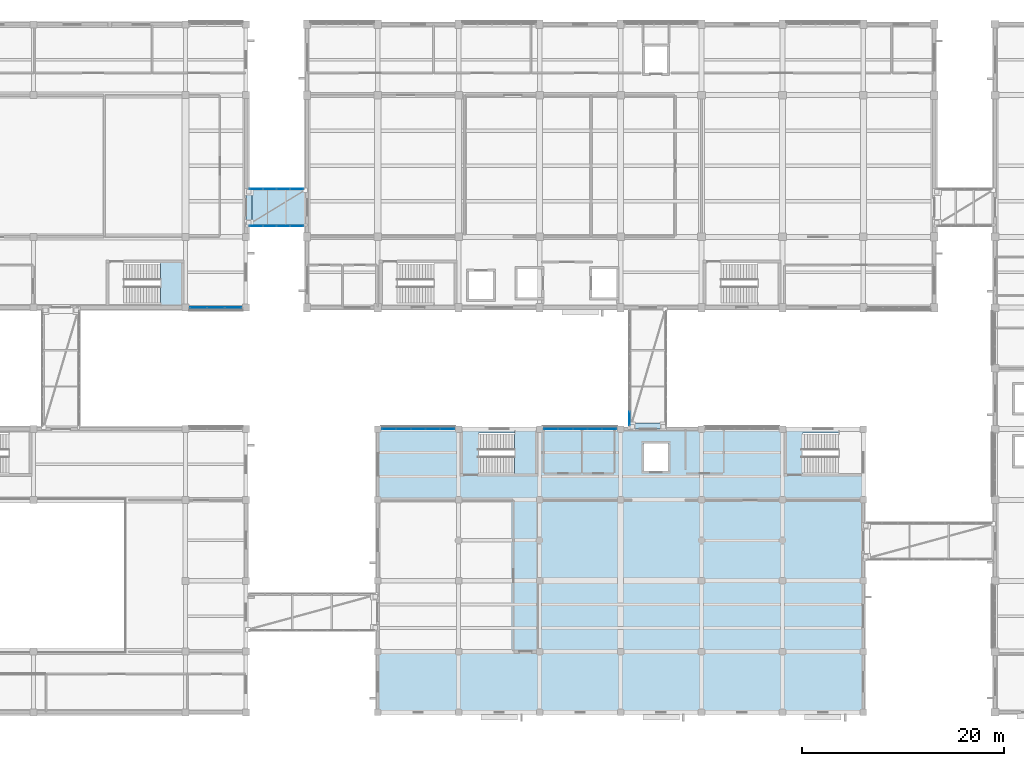
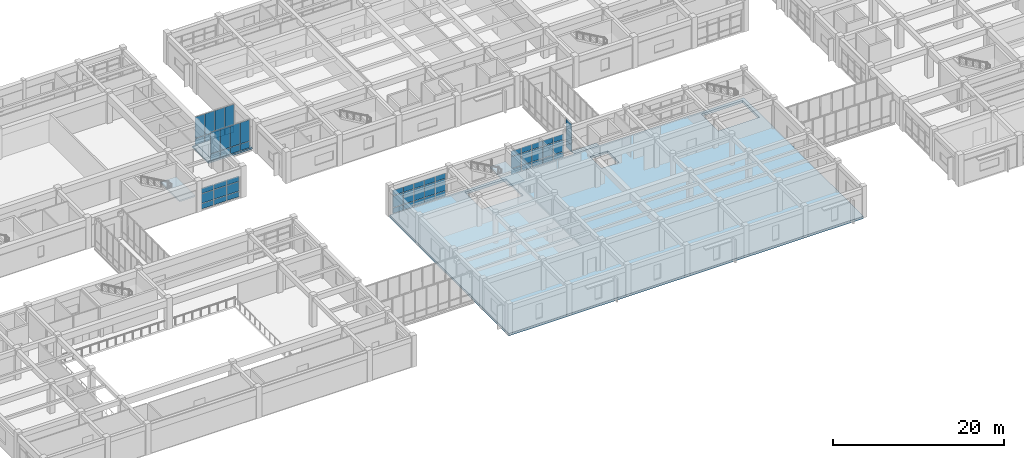
# One storey, part 38 of 70: 59 plates, 4 slabs, 8 elements without a shape of their own.
"""IFC4 building model written with IfcOpenShell, lengths in metres."""

from ifc_helpers import new_model, si_unit, direction, frame, origin, origin_2d, place, context, subcontext, project, spatial, polyline, rectangle, outline, extrude, material, layer, layer_set, type_object, element, aggregate, save


model = new_model("IFC4")

# Units and contexts
model_context = context("Model", 3, precision=1e-05, world=origin(), true_north=direction((0.0, 1.0)))
body_context = subcontext(model_context, "Body", "Model", "MODEL_VIEW")
ifc_project = project(units=[si_unit("LENGTHUNIT", "METRE"), si_unit("AREAUNIT", "SQUARE_METRE"), si_unit("VOLUMEUNIT", "CUBIC_METRE"), si_unit("PLANEANGLEUNIT", "RADIAN"), si_unit("MASSUNIT", "GRAM", prefix="KILO")], contexts=[model_context])

# Site, building, storey
site_placement = place(None, origin())
site = spatial("IfcSite", under=ifc_project, at=site_placement, CompositionType="ELEMENT")
building_placement = place(site_placement, origin())
building = spatial("IfcBuilding", under=site, at=building_placement, Name="Naurynzar Civic Courthouse", CompositionType="ELEMENT")
storey_placement = place(building_placement, frame((0.0, 0.0, 5.39990234375)))
storey = spatial("IfcBuildingStorey", under=building, at=storey_placement, Name="L02", CompositionType="ELEMENT", Elevation=5.39990234375)

# Curtain wall, plates
ifc_material_1 = material(Name="Aluminium 6063-T6", Category="aluminium")
ifc_layer_1 = layer(ifc_material_1, 0.179931640625)
ifc_layer_set_1 = layer_set([ifc_layer_1], Name="CW-UNIT-1500")
curtain_wall_type_1 = type_object("IfcCurtainWallType", Name="CW-UNIT-1500", PredefinedType="NOTDEFINED", material=ifc_layer_set_1)
curtain_wall_1_placement = place(storey_placement, origin())
curtain_wall_1 = element("IfcCurtainWall", 1, at=curtain_wall_1_placement, inside=storey, type_object=curtain_wall_type_1, Name="V3 unitised curtain wall 64 L02", PredefinedType="NOTDEFINED")
ifc_material_2 = material(Name="Tempered Laminated Low-E Glass", Category="glass")
ifc_layer_2 = layer(ifc_material_2, 0.031982421875)
ifc_layer_set_2 = layer_set([ifc_layer_2], Name="CWP-IGU-32")
plate_type_1 = type_object("IfcPlateType", Name="CWP-IGU-32", PredefinedType="CURTAIN_PANEL", material=ifc_layer_set_2)
plate_1_placement = place(storey_placement, frame((70.114990234375, 32.0, 0.06005859375), z_axis=(0.0, 0.0, 1.0), x_axis=(1.0, 0.0, 0.0)))
plate_1 = element("IfcPlate", 2, at=plate_1_placement, type_object=plate_type_1, Name="CW-01 panel 1.1", PredefinedType="CURTAIN_PANEL", context=body_context, shape_type="SweptSolid", body=[
    extrude(rectangle(XDim=1.360107421875, YDim=0.031982421875, at=origin_2d()), origin(), (0.0, 0.0, 1.0), 0.760009765625),
])
plate_2_placement = place(storey_placement, frame((70.114990234375, 32.0, 0.88037109375), z_axis=(0.0, 0.0, 1.0), x_axis=(1.0, 0.0, 0.0)))
plate_2 = element("IfcPlate", 3, at=plate_2_placement, type_object=plate_type_1, Name="CW-01 panel 1.2", PredefinedType="CURTAIN_PANEL", context=body_context, shape_type="SweptSolid", body=[
    extrude(rectangle(XDim=1.360107421875, YDim=0.031982421875, at=origin_2d()), origin(), (0.0, 0.0, 1.0), 1.679931640625),
])
plate_3_placement = place(storey_placement, frame((70.114990234375, 32.0, 2.6201171875), z_axis=(0.0, 0.0, 1.0), x_axis=(1.0, 0.0, 0.0)))
plate_3 = element("IfcPlate", 4, at=plate_3_placement, type_object=plate_type_1, Name="CW-01 panel 1.3", PredefinedType="CURTAIN_PANEL", context=body_context, shape_type="SweptSolid", body=[
    extrude(rectangle(XDim=1.360107421875, YDim=0.031982421875, at=origin_2d()), origin(), (0.0, 0.0, 1.0), 0.760009765625),
])
plate_4_placement = place(storey_placement, frame((71.550048828125, 32.0, 0.06005859375), z_axis=(0.0, 0.0, 1.0), x_axis=(1.0, 0.0, 0.0)))
plate_4 = element("IfcPlate", 5, at=plate_4_placement, type_object=plate_type_1, Name="CW-01 panel 2.1", PredefinedType="CURTAIN_PANEL", context=body_context, shape_type="SweptSolid", body=[
    extrude(rectangle(XDim=1.389892578125, YDim=0.031982421875, at=origin_2d()), origin(), (0.0, 0.0, 1.0), 0.760009765625),
])
plate_5_placement = place(storey_placement, frame((71.550048828125, 32.0, 0.88037109375), z_axis=(0.0, 0.0, 1.0), x_axis=(1.0, 0.0, 0.0)))
plate_5 = element("IfcPlate", 6, at=plate_5_placement, type_object=plate_type_1, Name="CW-01 panel 2.2", PredefinedType="CURTAIN_PANEL", context=body_context, shape_type="SweptSolid", body=[
    extrude(rectangle(XDim=1.389892578125, YDim=0.031982421875, at=origin_2d()), origin(), (0.0, 0.0, 1.0), 1.679931640625),
])
plate_6_placement = place(storey_placement, frame((71.550048828125, 32.0, 2.6201171875), z_axis=(0.0, 0.0, 1.0), x_axis=(1.0, 0.0, 0.0)))
plate_6 = element("IfcPlate", 7, at=plate_6_placement, type_object=plate_type_1, Name="CW-01 panel 2.3", PredefinedType="CURTAIN_PANEL", context=body_context, shape_type="SweptSolid", body=[
    extrude(rectangle(XDim=1.389892578125, YDim=0.031982421875, at=origin_2d()), origin(), (0.0, 0.0, 1.0), 0.760009765625),
])
plate_7_placement = place(storey_placement, frame((73.0, 32.0, 0.06005859375), z_axis=(0.0, 0.0, 1.0), x_axis=(1.0, 0.0, 0.0)))
plate_7 = element("IfcPlate", 8, at=plate_7_placement, type_object=plate_type_1, Name="CW-01 panel 3.1", PredefinedType="CURTAIN_PANEL", context=body_context, shape_type="SweptSolid", body=[
    extrude(rectangle(XDim=1.389892578125, YDim=0.031982421875, at=origin_2d()), origin(), (0.0, 0.0, 1.0), 0.760009765625),
])
plate_8_placement = place(storey_placement, frame((73.0, 32.0, 0.88037109375), z_axis=(0.0, 0.0, 1.0), x_axis=(1.0, 0.0, 0.0)))
plate_8 = element("IfcPlate", 9, at=plate_8_placement, type_object=plate_type_1, Name="CW-01 panel 3.2", PredefinedType="CURTAIN_PANEL", context=body_context, shape_type="SweptSolid", body=[
    extrude(rectangle(XDim=1.389892578125, YDim=0.031982421875, at=origin_2d()), origin(), (0.0, 0.0, 1.0), 1.679931640625),
])
plate_9_placement = place(storey_placement, frame((73.0, 32.0, 2.6201171875), z_axis=(0.0, 0.0, 1.0), x_axis=(1.0, 0.0, 0.0)))
plate_9 = element("IfcPlate", 10, at=plate_9_placement, type_object=plate_type_1, Name="CW-01 panel 3.3", PredefinedType="CURTAIN_PANEL", context=body_context, shape_type="SweptSolid", body=[
    extrude(rectangle(XDim=1.389892578125, YDim=0.031982421875, at=origin_2d()), origin(), (0.0, 0.0, 1.0), 0.760009765625),
])
plate_10_placement = place(storey_placement, frame((74.449951171875, 32.0, 0.06005859375), z_axis=(0.0, 0.0, 1.0), x_axis=(1.0, 0.0, 0.0)))
plate_10 = element("IfcPlate", 11, at=plate_10_placement, type_object=plate_type_1, Name="CW-01 panel 4.1", PredefinedType="CURTAIN_PANEL", context=body_context, shape_type="SweptSolid", body=[
    extrude(rectangle(XDim=1.389892578125, YDim=0.031982421875, at=origin_2d()), origin(), (0.0, 0.0, 1.0), 0.760009765625),
])
plate_11_placement = place(storey_placement, frame((74.449951171875, 32.0, 0.88037109375), z_axis=(0.0, 0.0, 1.0), x_axis=(1.0, 0.0, 0.0)))
plate_11 = element("IfcPlate", 12, at=plate_11_placement, type_object=plate_type_1, Name="CW-01 panel 4.2", PredefinedType="CURTAIN_PANEL", context=body_context, shape_type="SweptSolid", body=[
    extrude(rectangle(XDim=1.389892578125, YDim=0.031982421875, at=origin_2d()), origin(), (0.0, 0.0, 1.0), 1.679931640625),
])
plate_12_placement = place(storey_placement, frame((74.449951171875, 32.0, 2.6201171875), z_axis=(0.0, 0.0, 1.0), x_axis=(1.0, 0.0, 0.0)))
plate_12 = element("IfcPlate", 13, at=plate_12_placement, type_object=plate_type_1, Name="CW-01 panel 4.3", PredefinedType="CURTAIN_PANEL", context=body_context, shape_type="SweptSolid", body=[
    extrude(rectangle(XDim=1.389892578125, YDim=0.031982421875, at=origin_2d()), origin(), (0.0, 0.0, 1.0), 0.760009765625),
])
plate_13_placement = place(storey_placement, frame((75.885009765625, 32.0, 0.06005859375), z_axis=(0.0, 0.0, 1.0), x_axis=(1.0, 0.0, 0.0)))
plate_13 = element("IfcPlate", 14, at=plate_13_placement, type_object=plate_type_1, Name="CW-01 panel 5.1", PredefinedType="CURTAIN_PANEL", context=body_context, shape_type="SweptSolid", body=[
    extrude(rectangle(XDim=1.360107421875, YDim=0.031982421875, at=origin_2d()), origin(), (0.0, 0.0, 1.0), 0.760009765625),
])
plate_14_placement = place(storey_placement, frame((75.885009765625, 32.0, 0.88037109375), z_axis=(0.0, 0.0, 1.0), x_axis=(1.0, 0.0, 0.0)))
plate_14 = element("IfcPlate", 15, at=plate_14_placement, type_object=plate_type_1, Name="CW-01 panel 5.2", PredefinedType="CURTAIN_PANEL", context=body_context, shape_type="SweptSolid", body=[
    extrude(rectangle(XDim=1.360107421875, YDim=0.031982421875, at=origin_2d()), origin(), (0.0, 0.0, 1.0), 1.679931640625),
])
plate_15_placement = place(storey_placement, frame((75.885009765625, 32.0, 2.6201171875), z_axis=(0.0, 0.0, 1.0), x_axis=(1.0, 0.0, 0.0)))
plate_15 = element("IfcPlate", 16, at=plate_15_placement, type_object=plate_type_1, Name="CW-01 panel 5.3", PredefinedType="CURTAIN_PANEL", context=body_context, shape_type="SweptSolid", body=[
    extrude(rectangle(XDim=1.360107421875, YDim=0.031982421875, at=origin_2d()), origin(), (0.0, 0.0, 1.0), 0.760009765625),
])
aggregate(curtain_wall_1, [plate_1, plate_2, plate_3, plate_4, plate_5, plate_6, plate_7, plate_8, plate_9, plate_10, plate_11, plate_12, plate_13, plate_14, plate_15])

curtain_wall_2_placement = place(storey_placement, origin())
curtain_wall_2 = element("IfcCurtainWall", 17, at=curtain_wall_2_placement, inside=storey, type_object=curtain_wall_type_1, Name="V3 unitised curtain wall 65 L02", PredefinedType="NOTDEFINED")
plate_16_placement = place(storey_placement, frame((86.114990234375, 32.0, 0.06005859375), z_axis=(0.0, 0.0, 1.0), x_axis=(1.0, 0.0, 0.0)))
plate_16 = element("IfcPlate", 18, at=plate_16_placement, type_object=plate_type_1, Name="CW-01 panel 1.1", PredefinedType="CURTAIN_PANEL", context=body_context, shape_type="SweptSolid", body=[
    extrude(rectangle(XDim=1.360107421875, YDim=0.031982421875, at=origin_2d()), origin(), (0.0, 0.0, 1.0), 0.760009765625),
])
plate_17_placement = place(storey_placement, frame((86.114990234375, 32.0, 0.88037109375), z_axis=(0.0, 0.0, 1.0), x_axis=(1.0, 0.0, 0.0)))
plate_17 = element("IfcPlate", 19, at=plate_17_placement, type_object=plate_type_1, Name="CW-01 panel 1.2", PredefinedType="CURTAIN_PANEL", context=body_context, shape_type="SweptSolid", body=[
    extrude(rectangle(XDim=1.360107421875, YDim=0.031982421875, at=origin_2d()), origin(), (0.0, 0.0, 1.0), 1.679931640625),
])
plate_18_placement = place(storey_placement, frame((86.114990234375, 32.0, 2.6201171875), z_axis=(0.0, 0.0, 1.0), x_axis=(1.0, 0.0, 0.0)))
plate_18 = element("IfcPlate", 20, at=plate_18_placement, type_object=plate_type_1, Name="CW-01 panel 1.3", PredefinedType="CURTAIN_PANEL", context=body_context, shape_type="SweptSolid", body=[
    extrude(rectangle(XDim=1.360107421875, YDim=0.031982421875, at=origin_2d()), origin(), (0.0, 0.0, 1.0), 0.760009765625),
])
plate_19_placement = place(storey_placement, frame((87.550048828125, 32.0, 0.06005859375), z_axis=(0.0, 0.0, 1.0), x_axis=(1.0, 0.0, 0.0)))
plate_19 = element("IfcPlate", 21, at=plate_19_placement, type_object=plate_type_1, Name="CW-01 panel 2.1", PredefinedType="CURTAIN_PANEL", context=body_context, shape_type="SweptSolid", body=[
    extrude(rectangle(XDim=1.389892578125, YDim=0.031982421875, at=origin_2d()), origin(), (0.0, 0.0, 1.0), 0.760009765625),
])
plate_20_placement = place(storey_placement, frame((87.550048828125, 32.0, 0.88037109375), z_axis=(0.0, 0.0, 1.0), x_axis=(1.0, 0.0, 0.0)))
plate_20 = element("IfcPlate", 22, at=plate_20_placement, type_object=plate_type_1, Name="CW-01 panel 2.2", PredefinedType="CURTAIN_PANEL", context=body_context, shape_type="SweptSolid", body=[
    extrude(rectangle(XDim=1.389892578125, YDim=0.031982421875, at=origin_2d()), origin(), (0.0, 0.0, 1.0), 1.679931640625),
])
plate_21_placement = place(storey_placement, frame((87.550048828125, 32.0, 2.6201171875), z_axis=(0.0, 0.0, 1.0), x_axis=(1.0, 0.0, 0.0)))
plate_21 = element("IfcPlate", 23, at=plate_21_placement, type_object=plate_type_1, Name="CW-01 panel 2.3", PredefinedType="CURTAIN_PANEL", context=body_context, shape_type="SweptSolid", body=[
    extrude(rectangle(XDim=1.389892578125, YDim=0.031982421875, at=origin_2d()), origin(), (0.0, 0.0, 1.0), 0.760009765625),
])
plate_22_placement = place(storey_placement, frame((89.0, 32.0, 0.06005859375), z_axis=(0.0, 0.0, 1.0), x_axis=(1.0, 0.0, 0.0)))
plate_22 = element("IfcPlate", 24, at=plate_22_placement, type_object=plate_type_1, Name="CW-01 panel 3.1", PredefinedType="CURTAIN_PANEL", context=body_context, shape_type="SweptSolid", body=[
    extrude(rectangle(XDim=1.389892578125, YDim=0.031982421875, at=origin_2d()), origin(), (0.0, 0.0, 1.0), 0.760009765625),
])
plate_23_placement = place(storey_placement, frame((89.0, 32.0, 0.88037109375), z_axis=(0.0, 0.0, 1.0), x_axis=(1.0, 0.0, 0.0)))
plate_23 = element("IfcPlate", 25, at=plate_23_placement, type_object=plate_type_1, Name="CW-01 panel 3.2", PredefinedType="CURTAIN_PANEL", context=body_context, shape_type="SweptSolid", body=[
    extrude(rectangle(XDim=1.389892578125, YDim=0.031982421875, at=origin_2d()), origin(), (0.0, 0.0, 1.0), 1.679931640625),
])
plate_24_placement = place(storey_placement, frame((89.0, 32.0, 2.6201171875), z_axis=(0.0, 0.0, 1.0), x_axis=(1.0, 0.0, 0.0)))
plate_24 = element("IfcPlate", 26, at=plate_24_placement, type_object=plate_type_1, Name="CW-01 panel 3.3", PredefinedType="CURTAIN_PANEL", context=body_context, shape_type="SweptSolid", body=[
    extrude(rectangle(XDim=1.389892578125, YDim=0.031982421875, at=origin_2d()), origin(), (0.0, 0.0, 1.0), 0.760009765625),
])
plate_25_placement = place(storey_placement, frame((90.449951171875, 32.0, 0.06005859375), z_axis=(0.0, 0.0, 1.0), x_axis=(1.0, 0.0, 0.0)))
plate_25 = element("IfcPlate", 27, at=plate_25_placement, type_object=plate_type_1, Name="CW-01 panel 4.1", PredefinedType="CURTAIN_PANEL", context=body_context, shape_type="SweptSolid", body=[
    extrude(rectangle(XDim=1.389892578125, YDim=0.031982421875, at=origin_2d()), origin(), (0.0, 0.0, 1.0), 0.760009765625),
])
plate_26_placement = place(storey_placement, frame((90.449951171875, 32.0, 0.88037109375), z_axis=(0.0, 0.0, 1.0), x_axis=(1.0, 0.0, 0.0)))
plate_26 = element("IfcPlate", 28, at=plate_26_placement, type_object=plate_type_1, Name="CW-01 panel 4.2", PredefinedType="CURTAIN_PANEL", context=body_context, shape_type="SweptSolid", body=[
    extrude(rectangle(XDim=1.389892578125, YDim=0.031982421875, at=origin_2d()), origin(), (0.0, 0.0, 1.0), 1.679931640625),
])
plate_27_placement = place(storey_placement, frame((90.449951171875, 32.0, 2.6201171875), z_axis=(0.0, 0.0, 1.0), x_axis=(1.0, 0.0, 0.0)))
plate_27 = element("IfcPlate", 29, at=plate_27_placement, type_object=plate_type_1, Name="CW-01 panel 4.3", PredefinedType="CURTAIN_PANEL", context=body_context, shape_type="SweptSolid", body=[
    extrude(rectangle(XDim=1.389892578125, YDim=0.031982421875, at=origin_2d()), origin(), (0.0, 0.0, 1.0), 0.760009765625),
])
plate_28_placement = place(storey_placement, frame((91.885009765625, 32.0, 0.06005859375), z_axis=(0.0, 0.0, 1.0), x_axis=(1.0, 0.0, 0.0)))
plate_28 = element("IfcPlate", 30, at=plate_28_placement, type_object=plate_type_1, Name="CW-01 panel 5.1", PredefinedType="CURTAIN_PANEL", context=body_context, shape_type="SweptSolid", body=[
    extrude(rectangle(XDim=1.360107421875, YDim=0.031982421875, at=origin_2d()), origin(), (0.0, 0.0, 1.0), 0.760009765625),
])
plate_29_placement = place(storey_placement, frame((91.885009765625, 32.0, 0.88037109375), z_axis=(0.0, 0.0, 1.0), x_axis=(1.0, 0.0, 0.0)))
plate_29 = element("IfcPlate", 31, at=plate_29_placement, type_object=plate_type_1, Name="CW-01 panel 5.2", PredefinedType="CURTAIN_PANEL", context=body_context, shape_type="SweptSolid", body=[
    extrude(rectangle(XDim=1.360107421875, YDim=0.031982421875, at=origin_2d()), origin(), (0.0, 0.0, 1.0), 1.679931640625),
])
plate_30_placement = place(storey_placement, frame((91.885009765625, 32.0, 2.6201171875), z_axis=(0.0, 0.0, 1.0), x_axis=(1.0, 0.0, 0.0)))
plate_30 = element("IfcPlate", 32, at=plate_30_placement, type_object=plate_type_1, Name="CW-01 panel 5.3", PredefinedType="CURTAIN_PANEL", context=body_context, shape_type="SweptSolid", body=[
    extrude(rectangle(XDim=1.360107421875, YDim=0.031982421875, at=origin_2d()), origin(), (0.0, 0.0, 1.0), 0.760009765625),
])
aggregate(curtain_wall_2, [plate_16, plate_17, plate_18, plate_19, plate_20, plate_21, plate_22, plate_23, plate_24, plate_25, plate_26, plate_27, plate_28, plate_29, plate_30])

ifc_material_3 = material(Name="Aluminium 6063-T6", Category="aluminium")
ifc_layer_3 = layer(ifc_material_3, 0.14990234375)
ifc_layer_set_3 = layer_set([ifc_layer_3], Name="CW-BRIDGE-1500")
curtain_wall_type_2 = type_object("IfcCurtainWallType", Name="CW-BRIDGE-1500", PredefinedType="USERDEFINED", material=ifc_layer_set_3)
curtain_wall_3_placement = place(storey_placement, origin())
curtain_wall_3 = element("IfcCurtainWall", 33, at=curtain_wall_3_placement, inside=storey, type_object=curtain_wall_type_2, Name="BR-N1 glazed bridge screen L02.1", ObjectType="GLAZED BRIDGE SCREEN", PredefinedType="USERDEFINED")
plate_31_placement = place(storey_placement, frame((56.989990234375, 52.080078125, 0.06005859375), z_axis=(0.0, 0.0, 1.0), x_axis=(1.0, 0.0, 0.0)))
plate_31 = element("IfcPlate", 34, at=plate_31_placement, type_object=plate_type_1, Name="CW-03 panel 1.1", PredefinedType="CURTAIN_PANEL", context=body_context, shape_type="SweptSolid", body=[
    extrude(rectangle(XDim=1.260009765625, YDim=0.031982421875, at=origin_2d()), origin(), (0.0, 0.0, 1.0), 0.909912109375),
])
plate_32_placement = place(storey_placement, frame((56.989990234375, 52.080078125, 1.0302734375), z_axis=(0.0, 0.0, 1.0), x_axis=(1.0, 0.0, 0.0)))
plate_32 = element("IfcPlate", 35, at=plate_32_placement, type_object=plate_type_1, Name="CW-03 panel 1.2", PredefinedType="CURTAIN_PANEL", context=body_context, shape_type="SweptSolid", body=[
    extrude(rectangle(XDim=1.260009765625, YDim=0.031982421875, at=origin_2d()), origin(), (0.0, 0.0, 1.0), 3.030029296875),
])
plate_33_placement = place(storey_placement, frame((58.324951171875, 52.080078125, 0.06005859375), z_axis=(0.0, 0.0, 1.0), x_axis=(1.0, 0.0, 0.0)))
plate_33 = element("IfcPlate", 36, at=plate_33_placement, type_object=plate_type_1, Name="CW-03 panel 2.1", PredefinedType="CURTAIN_PANEL", context=body_context, shape_type="SweptSolid", body=[
    extrude(rectangle(XDim=1.2900390625, YDim=0.031982421875, at=origin_2d()), origin(), (0.0, 0.0, 1.0), 0.909912109375),
])
plate_34_placement = place(storey_placement, frame((58.324951171875, 52.080078125, 1.0302734375), z_axis=(0.0, 0.0, 1.0), x_axis=(1.0, 0.0, 0.0)))
plate_34 = element("IfcPlate", 37, at=plate_34_placement, type_object=plate_type_1, Name="CW-03 panel 2.2", PredefinedType="CURTAIN_PANEL", context=body_context, shape_type="SweptSolid", body=[
    extrude(rectangle(XDim=1.2900390625, YDim=0.031982421875, at=origin_2d()), origin(), (0.0, 0.0, 1.0), 3.030029296875),
])
plate_35_placement = place(storey_placement, frame((59.675048828125, 52.080078125, 0.06005859375), z_axis=(0.0, 0.0, 1.0), x_axis=(1.0, 0.0, 0.0)))
plate_35 = element("IfcPlate", 38, at=plate_35_placement, type_object=plate_type_1, Name="CW-03 panel 3.1", PredefinedType="CURTAIN_PANEL", context=body_context, shape_type="SweptSolid", body=[
    extrude(rectangle(XDim=1.2900390625, YDim=0.031982421875, at=origin_2d()), origin(), (0.0, 0.0, 1.0), 0.909912109375),
])
plate_36_placement = place(storey_placement, frame((59.675048828125, 52.080078125, 1.0302734375), z_axis=(0.0, 0.0, 1.0), x_axis=(1.0, 0.0, 0.0)))
plate_36 = element("IfcPlate", 39, at=plate_36_placement, type_object=plate_type_1, Name="CW-03 panel 3.2", PredefinedType="CURTAIN_PANEL", context=body_context, shape_type="SweptSolid", body=[
    extrude(rectangle(XDim=1.2900390625, YDim=0.031982421875, at=origin_2d()), origin(), (0.0, 0.0, 1.0), 3.030029296875),
])
plate_37_placement = place(storey_placement, frame((61.010009765625, 52.080078125, 0.06005859375), z_axis=(0.0, 0.0, 1.0), x_axis=(1.0, 0.0, 0.0)))
plate_37 = element("IfcPlate", 40, at=plate_37_placement, type_object=plate_type_1, Name="CW-03 panel 4.1", PredefinedType="CURTAIN_PANEL", context=body_context, shape_type="SweptSolid", body=[
    extrude(rectangle(XDim=1.260009765625, YDim=0.031982421875, at=origin_2d()), origin(), (0.0, 0.0, 1.0), 0.909912109375),
])
plate_38_placement = place(storey_placement, frame((61.010009765625, 52.080078125, 1.0302734375), z_axis=(0.0, 0.0, 1.0), x_axis=(1.0, 0.0, 0.0)))
plate_38 = element("IfcPlate", 41, at=plate_38_placement, type_object=plate_type_1, Name="CW-03 panel 4.2", PredefinedType="CURTAIN_PANEL", context=body_context, shape_type="SweptSolid", body=[
    extrude(rectangle(XDim=1.260009765625, YDim=0.031982421875, at=origin_2d()), origin(), (0.0, 0.0, 1.0), 3.030029296875),
])
aggregate(curtain_wall_3, [plate_31, plate_32, plate_33, plate_34, plate_35, plate_36, plate_37, plate_38])

curtain_wall_4_placement = place(storey_placement, origin())
curtain_wall_4 = element("IfcCurtainWall", 42, at=curtain_wall_4_placement, inside=storey, type_object=curtain_wall_type_2, Name="BR-N1 glazed bridge screen L02.2", ObjectType="GLAZED BRIDGE SCREEN", PredefinedType="USERDEFINED")
plate_39_placement = place(storey_placement, frame((61.010009765625, 55.719970703125, 0.06005859375), z_axis=(0.0, 0.0, 1.0), x_axis=(-1.0, 0.0, 0.0)))
plate_39 = element("IfcPlate", 43, at=plate_39_placement, type_object=plate_type_1, Name="CW-03 panel 1.1", PredefinedType="CURTAIN_PANEL", context=body_context, shape_type="SweptSolid", body=[
    extrude(rectangle(XDim=1.260009765625, YDim=0.031982421875, at=origin_2d()), origin(), (0.0, 0.0, 1.0), 0.909912109375),
])
plate_40_placement = place(storey_placement, frame((61.010009765625, 55.719970703125, 1.0302734375), z_axis=(0.0, 0.0, 1.0), x_axis=(-1.0, 0.0, 0.0)))
plate_40 = element("IfcPlate", 44, at=plate_40_placement, type_object=plate_type_1, Name="CW-03 panel 1.2", PredefinedType="CURTAIN_PANEL", context=body_context, shape_type="SweptSolid", body=[
    extrude(rectangle(XDim=1.260009765625, YDim=0.031982421875, at=origin_2d()), origin(), (0.0, 0.0, 1.0), 3.030029296875),
])
plate_41_placement = place(storey_placement, frame((59.675048828125, 55.719970703125, 0.06005859375), z_axis=(0.0, 0.0, 1.0), x_axis=(-1.0, 0.0, 0.0)))
plate_41 = element("IfcPlate", 45, at=plate_41_placement, type_object=plate_type_1, Name="CW-03 panel 2.1", PredefinedType="CURTAIN_PANEL", context=body_context, shape_type="SweptSolid", body=[
    extrude(rectangle(XDim=1.2900390625, YDim=0.031982421875, at=origin_2d()), origin(), (0.0, 0.0, 1.0), 0.909912109375),
])
plate_42_placement = place(storey_placement, frame((59.675048828125, 55.719970703125, 1.0302734375), z_axis=(0.0, 0.0, 1.0), x_axis=(-1.0, 0.0, 0.0)))
plate_42 = element("IfcPlate", 46, at=plate_42_placement, type_object=plate_type_1, Name="CW-03 panel 2.2", PredefinedType="CURTAIN_PANEL", context=body_context, shape_type="SweptSolid", body=[
    extrude(rectangle(XDim=1.2900390625, YDim=0.031982421875, at=origin_2d()), origin(), (0.0, 0.0, 1.0), 3.030029296875),
])
plate_43_placement = place(storey_placement, frame((58.324951171875, 55.719970703125, 0.06005859375), z_axis=(0.0, 0.0, 1.0), x_axis=(-1.0, 0.0, 0.0)))
plate_43 = element("IfcPlate", 47, at=plate_43_placement, type_object=plate_type_1, Name="CW-03 panel 3.1", PredefinedType="CURTAIN_PANEL", context=body_context, shape_type="SweptSolid", body=[
    extrude(rectangle(XDim=1.2900390625, YDim=0.031982421875, at=origin_2d()), origin(), (0.0, 0.0, 1.0), 0.909912109375),
])
plate_44_placement = place(storey_placement, frame((58.324951171875, 55.719970703125, 1.0302734375), z_axis=(0.0, 0.0, 1.0), x_axis=(-1.0, 0.0, 0.0)))
plate_44 = element("IfcPlate", 48, at=plate_44_placement, type_object=plate_type_1, Name="CW-03 panel 3.2", PredefinedType="CURTAIN_PANEL", context=body_context, shape_type="SweptSolid", body=[
    extrude(rectangle(XDim=1.2900390625, YDim=0.031982421875, at=origin_2d()), origin(), (0.0, 0.0, 1.0), 3.030029296875),
])
plate_45_placement = place(storey_placement, frame((56.989990234375, 55.719970703125, 0.06005859375), z_axis=(0.0, 0.0, 1.0), x_axis=(-1.0, 0.0, 0.0)))
plate_45 = element("IfcPlate", 49, at=plate_45_placement, type_object=plate_type_1, Name="CW-03 panel 4.1", PredefinedType="CURTAIN_PANEL", context=body_context, shape_type="SweptSolid", body=[
    extrude(rectangle(XDim=1.260009765625, YDim=0.031982421875, at=origin_2d()), origin(), (0.0, 0.0, 1.0), 0.909912109375),
])
plate_46_placement = place(storey_placement, frame((56.989990234375, 55.719970703125, 1.0302734375), z_axis=(0.0, 0.0, 1.0), x_axis=(-1.0, 0.0, 0.0)))
plate_46 = element("IfcPlate", 50, at=plate_46_placement, type_object=plate_type_1, Name="CW-03 panel 4.2", PredefinedType="CURTAIN_PANEL", context=body_context, shape_type="SweptSolid", body=[
    extrude(rectangle(XDim=1.260009765625, YDim=0.031982421875, at=origin_2d()), origin(), (0.0, 0.0, 1.0), 3.030029296875),
])
aggregate(curtain_wall_4, [plate_39, plate_40, plate_41, plate_42, plate_43, plate_44, plate_45, plate_46])

curtain_wall_5_placement = place(storey_placement, origin())
curtain_wall_5 = element("IfcCurtainWall", 51, at=curtain_wall_5_placement, inside=storey, type_object=curtain_wall_type_2, Name="BR-C1 glazed bridge screen L02.1", ObjectType="GLAZED BRIDGE SCREEN", PredefinedType="USERDEFINED")
plate_47_placement = place(storey_placement, frame((93.8798828125, 33.027587890625, 0.06005859375), z_axis=(0.0, 0.0, 1.0), x_axis=(0.0, -1.0, 0.0)))
plate_47 = element("IfcPlate", 52, at=plate_47_placement, type_object=plate_type_1, Name="CW-03 panel 8.1", PredefinedType="CURTAIN_PANEL", context=body_context, shape_type="SweptSolid", body=[
    extrude(rectangle(XDim=1.3349609375, YDim=0.031982421875, at=origin_2d()), origin(), (0.0, 0.0, 1.0), 0.909912109375),
])
plate_48_placement = place(storey_placement, frame((93.8798828125, 33.027587890625, 1.0302734375), z_axis=(0.0, 0.0, 1.0), x_axis=(0.0, -1.0, 0.0)))
plate_48 = element("IfcPlate", 53, at=plate_48_placement, type_object=plate_type_1, Name="CW-03 panel 8.2", PredefinedType="CURTAIN_PANEL", context=body_context, shape_type="SweptSolid", body=[
    extrude(rectangle(XDim=1.3349609375, YDim=0.031982421875, at=origin_2d()), origin(), (0.0, 0.0, 1.0), 3.030029296875),
])
aggregate(curtain_wall_5, [plate_47, plate_48])

ifc_material_4 = material(Name="Aluminium 6063-T6", Category="aluminium")
ifc_layer_4 = layer(ifc_material_4, 0.159912109375)
ifc_layer_set_4 = layer_set([ifc_layer_4], Name="CW-UNIT-1800")
curtain_wall_type_3 = type_object("IfcCurtainWallType", Name="CW-UNIT-1800", PredefinedType="NOTDEFINED", material=ifc_layer_set_4)
curtain_wall_6_placement = place(storey_placement, origin())
curtain_wall_6 = element("IfcCurtainWall", 54, at=curtain_wall_6_placement, inside=storey, type_object=curtain_wall_type_3, Name="V1 unitised curtain wall 5 L02", PredefinedType="NOTDEFINED")
ifc_material_5 = material(Name="Tempered Laminated Low-E Glass", Category="glass")
ifc_layer_5 = layer(ifc_material_5, 0.035888671875)
ifc_layer_set_5 = layer_set([ifc_layer_5], Name="CWP-IGU-36")
plate_type_2 = type_object("IfcPlateType", Name="CWP-IGU-36", PredefinedType="CURTAIN_PANEL", material=ifc_layer_set_5)
plate_49_placement = place(storey_placement, frame((54.7158203125, 44.0, 0.070068359375), z_axis=(0.0, 0.0, 1.0), x_axis=(-1.0, 0.0, 0.0)))
plate_49 = element("IfcPlate", 55, at=plate_49_placement, type_object=plate_type_2, Name="CW-02 panel 1.1", PredefinedType="CURTAIN_PANEL", context=body_context, shape_type="SweptSolid", body=[
    extrude(rectangle(XDim=1.62841796875, YDim=0.035888671875, at=origin_2d()), origin(), (0.0, 0.0, 1.0), 0.7451171875),
])
plate_50_placement = place(storey_placement, frame((54.7158203125, 44.0, 0.88525390625), z_axis=(0.0, 0.0, 1.0), x_axis=(-1.0, 0.0, 0.0)))
plate_50 = element("IfcPlate", 56, at=plate_50_placement, type_object=plate_type_2, Name="CW-02 panel 1.2", PredefinedType="CURTAIN_PANEL", context=body_context, shape_type="SweptSolid", body=[
    extrude(rectangle(XDim=1.62841796875, YDim=0.035888671875, at=origin_2d()), origin(), (0.0, 0.0, 1.0), 1.340087890625),
])
plate_51_placement = place(storey_placement, frame((54.7158203125, 44.0, 2.294921875), z_axis=(0.0, 0.0, 1.0), x_axis=(-1.0, 0.0, 0.0)))
plate_51 = element("IfcPlate", 57, at=plate_51_placement, type_object=plate_type_2, Name="CW-02 panel 1.3", PredefinedType="CURTAIN_PANEL", context=body_context, shape_type="SweptSolid", body=[
    extrude(rectangle(XDim=1.62841796875, YDim=0.035888671875, at=origin_2d()), origin(), (0.0, 0.0, 1.0), 0.7451171875),
])
plate_52_placement = place(storey_placement, frame((53.0, 44.0, 0.070068359375), z_axis=(0.0, 0.0, 1.0), x_axis=(-1.0, 0.0, 0.0)))
plate_52 = element("IfcPlate", 58, at=plate_52_placement, type_object=plate_type_2, Name="CW-02 panel 2.1", PredefinedType="CURTAIN_PANEL", context=body_context, shape_type="SweptSolid", body=[
    extrude(rectangle(XDim=1.663330078125, YDim=0.035888671875, at=origin_2d()), origin(), (0.0, 0.0, 1.0), 0.7451171875),
])
plate_53_placement = place(storey_placement, frame((53.0, 44.0, 0.88525390625), z_axis=(0.0, 0.0, 1.0), x_axis=(-1.0, 0.0, 0.0)))
plate_53 = element("IfcPlate", 59, at=plate_53_placement, type_object=plate_type_2, Name="CW-02 panel 2.2", PredefinedType="CURTAIN_PANEL", context=body_context, shape_type="SweptSolid", body=[
    extrude(rectangle(XDim=1.663330078125, YDim=0.035888671875, at=origin_2d()), origin(), (0.0, 0.0, 1.0), 1.340087890625),
])
plate_54_placement = place(storey_placement, frame((53.0, 44.0, 2.294921875), z_axis=(0.0, 0.0, 1.0), x_axis=(-1.0, 0.0, 0.0)))
plate_54 = element("IfcPlate", 60, at=plate_54_placement, type_object=plate_type_2, Name="CW-02 panel 2.3", PredefinedType="CURTAIN_PANEL", context=body_context, shape_type="SweptSolid", body=[
    extrude(rectangle(XDim=1.663330078125, YDim=0.035888671875, at=origin_2d()), origin(), (0.0, 0.0, 1.0), 0.7451171875),
])
plate_55_placement = place(storey_placement, frame((51.2841796875, 44.0, 0.070068359375), z_axis=(0.0, 0.0, 1.0), x_axis=(-1.0, 0.0, 0.0)))
plate_55 = element("IfcPlate", 61, at=plate_55_placement, type_object=plate_type_2, Name="CW-02 panel 3.1", PredefinedType="CURTAIN_PANEL", context=body_context, shape_type="SweptSolid", body=[
    extrude(rectangle(XDim=1.62841796875, YDim=0.035888671875, at=origin_2d()), origin(), (0.0, 0.0, 1.0), 0.7451171875),
])
plate_56_placement = place(storey_placement, frame((51.2841796875, 44.0, 0.88525390625), z_axis=(0.0, 0.0, 1.0), x_axis=(-1.0, 0.0, 0.0)))
plate_56 = element("IfcPlate", 62, at=plate_56_placement, type_object=plate_type_2, Name="CW-02 panel 3.2", PredefinedType="CURTAIN_PANEL", context=body_context, shape_type="SweptSolid", body=[
    extrude(rectangle(XDim=1.62841796875, YDim=0.035888671875, at=origin_2d()), origin(), (0.0, 0.0, 1.0), 1.340087890625),
])
plate_57_placement = place(storey_placement, frame((51.2841796875, 44.0, 2.294921875), z_axis=(0.0, 0.0, 1.0), x_axis=(-1.0, 0.0, 0.0)))
plate_57 = element("IfcPlate", 63, at=plate_57_placement, type_object=plate_type_2, Name="CW-02 panel 3.3", PredefinedType="CURTAIN_PANEL", context=body_context, shape_type="SweptSolid", body=[
    extrude(rectangle(XDim=1.62841796875, YDim=0.035888671875, at=origin_2d()), origin(), (0.0, 0.0, 1.0), 0.7451171875),
])
aggregate(curtain_wall_6, [plate_49, plate_50, plate_51, plate_52, plate_53, plate_54, plate_55, plate_56, plate_57])

# Plates
ifc_material_6 = material(Name="Brushed Stainless Steel 304", Category="steel")
ifc_layer_6 = layer(ifc_material_6, 0.011962890625)
ifc_layer_set_6 = layer_set([ifc_layer_6], Name="PLT-SEISMIC-COVER-12")
plate_type_3 = type_object("IfcPlateType", Name="PLT-SEISMIC-COVER-12", PredefinedType="SHEET", material=ifc_layer_set_6)
plate_58_placement = place(storey_placement, frame((56.300048828125, 53.89990234375, 0.0), z_axis=(0.0, 0.0, 1.0), x_axis=(1.0, 0.0, 0.0)))
element("IfcPlate", 64, at=plate_58_placement, inside=storey, type_object=plate_type_3, Name="BR-N1 seismic floor joint cover plate L02", PredefinedType="SHEET", context=body_context, shape_type="SweptSolid", body=[
    extrude(rectangle(XDim=0.60009765625, YDim=3.39990234375, at=origin_2d()), origin(), (0.0, 0.0, 1.0), 0.011962890625),
])
plate_59_placement = place(storey_placement, frame((95.699951171875, 32.300048828125, 0.0), z_axis=(0.0, 0.0, 1.0), x_axis=(1.0, 0.0, 0.0)))
element("IfcPlate", 65, at=plate_59_placement, inside=storey, type_object=plate_type_3, Name="BR-C1 seismic floor joint cover plate L02", PredefinedType="SHEET", context=body_context, shape_type="SweptSolid", body=[
    extrude(rectangle(XDim=3.39990234375, YDim=0.60009765625, at=origin_2d()), origin(), (0.0, 0.0, 1.0), 0.011962890625),
])

# Slab
ifc_material_7 = material(Name="Concrete C35/45", Category="concrete")
ifc_layer_7 = layer(ifc_material_7, 0.239990234375)
ifc_layer_set_7 = layer_set([ifc_layer_7], Name="SLB-BRG-240")
slab_type_1 = type_object("IfcSlabType", Name="SLB-BRG-240", PredefinedType="FLOOR", material=ifc_layer_set_7)
slab_1_placement = place(storey_placement, frame((0.0, 0.0, -0.239990234375)))
element("IfcSlab", 66, at=slab_1_placement, inside=storey, type_object=slab_type_1, Name="North Ceremonial Seismic Link Passage deck slab L02", PredefinedType="FLOOR", context=body_context, shape_type="SweptSolid", body=[
    extrude(outline(polyline([(56.02001953125, 52.02001953125), (61.97998046875, 52.02001953125), (61.97998046875, 55.780029296875), (56.02001953125, 55.780029296875), (56.02001953125, 52.02001953125)])), origin(), (0.0, 0.0, 1.0), 0.239990234375),
])

# Stair, slab
ifc_material_8 = material(Name="Concrete C35/45", Category="concrete")
stair_type = type_object("IfcStairType", Name="STAIR-CORE-1600", PredefinedType="TWO_STRAIGHT_RUN_STAIR", material=ifc_material_8)
stair_1_placement = place(storey_placement, origin())
stair_1 = element("IfcStair", 67, at=stair_1_placement, inside=storey, type_object=stair_type, Name="Enclosed escape stair ST-V1B L02", PredefinedType="TWO_STRAIGHT_RUN_STAIR")
ifc_material_9 = material(Name="Concrete C35/45", Category="concrete")
ifc_layer_8 = layer(ifc_material_9, 0.199951171875)
ifc_layer_set_8 = layer_set([ifc_layer_8], Name="SLB-LAND-200")
slab_type_2 = type_object("IfcSlabType", Name="SLB-LAND-200", PredefinedType="LANDING", material=ifc_layer_set_8)
slab_2_placement = place(storey_placement, frame((0.0, 0.0, 2.050048828125)))
slab_2 = element("IfcSlab", 68, at=slab_2_placement, type_object=slab_type_2, Name="ST-V1B-L02 landing 1", PredefinedType="LANDING", context=body_context, shape_type="SweptSolid", body=[
    extrude(outline(polyline([(47.5400390625, 44.080078125), (49.669921875, 44.080078125), (49.669921875, 48.52001953125), (47.5400390625, 48.52001953125), (47.5400390625, 44.080078125)])), origin(), (0.0, 0.0, 1.0), 0.199951171875),
])
aggregate(stair_1, [slab_2])

stair_2_placement = place(storey_placement, origin())
stair_2 = element("IfcStair", 69, at=stair_2_placement, inside=storey, type_object=stair_type, Name="Enclosed escape stair ST-V3A L02", PredefinedType="TWO_STRAIGHT_RUN_STAIR")
slab_3_placement = place(storey_placement, frame((0.0, 0.0, 2.050048828125)))
slab_3 = element("IfcSlab", 70, at=slab_3_placement, type_object=slab_type_2, Name="ST-V3A-L02 landing 1", PredefinedType="LANDING", context=body_context, shape_type="SweptSolid", body=[
    extrude(outline(polyline([(82.5400390625, 27.47998046875), (84.669921875, 27.47998046875), (84.669921875, 31.919921875), (82.5400390625, 31.919921875), (82.5400390625, 27.47998046875)])), origin(), (0.0, 0.0, 1.0), 0.199951171875),
])
aggregate(stair_2, [slab_3])

# Slab
ifc_material_10 = material(Name="Concrete C35/45", Category="concrete")
ifc_layer_9 = layer(ifc_material_10, 0.340087890625)
ifc_layer_set_9 = layer_set([ifc_layer_9], Name="SLB-STACK-340")
slab_type_3 = type_object("IfcSlabType", Name="SLB-STACK-340", PredefinedType="FLOOR", material=ifc_layer_set_9)
slab_4_placement = place(storey_placement, frame((0.0, 0.0, -0.33984375)))
element("IfcSlab", 71, at=slab_4_placement, inside=storey, type_object=slab_type_3, Name="V3 floor slab L02", PredefinedType="FLOOR", context=body_context, shape_type="SweptSolid", body=[
    extrude(outline(polyline([(117.0, 4.0), (117.0, 32.0), (69.0, 32.0), (69.0, 4.0), (117.0, 4.0)]), holes=[polyline([(78.97998046875, 27.60009765625), (84.550048828125, 27.60009765625), (84.550048828125, 31.60009765625), (78.97998046875, 31.60009765625), (78.97998046875, 27.60009765625)]), polyline([(110.97998046875, 27.60009765625), (116.550048828125, 27.60009765625), (116.550048828125, 31.60009765625), (110.97998046875, 31.60009765625), (110.97998046875, 27.60009765625)]), polyline([(95.300048828125, 27.85009765625), (97.699951171875, 27.85009765625), (97.699951171875, 30.550048828125), (95.300048828125, 30.550048828125), (95.300048828125, 27.85009765625)])]), origin(), (0.0, 0.0, 1.0), 0.33984375),
])

save(model, "model.ifc")
